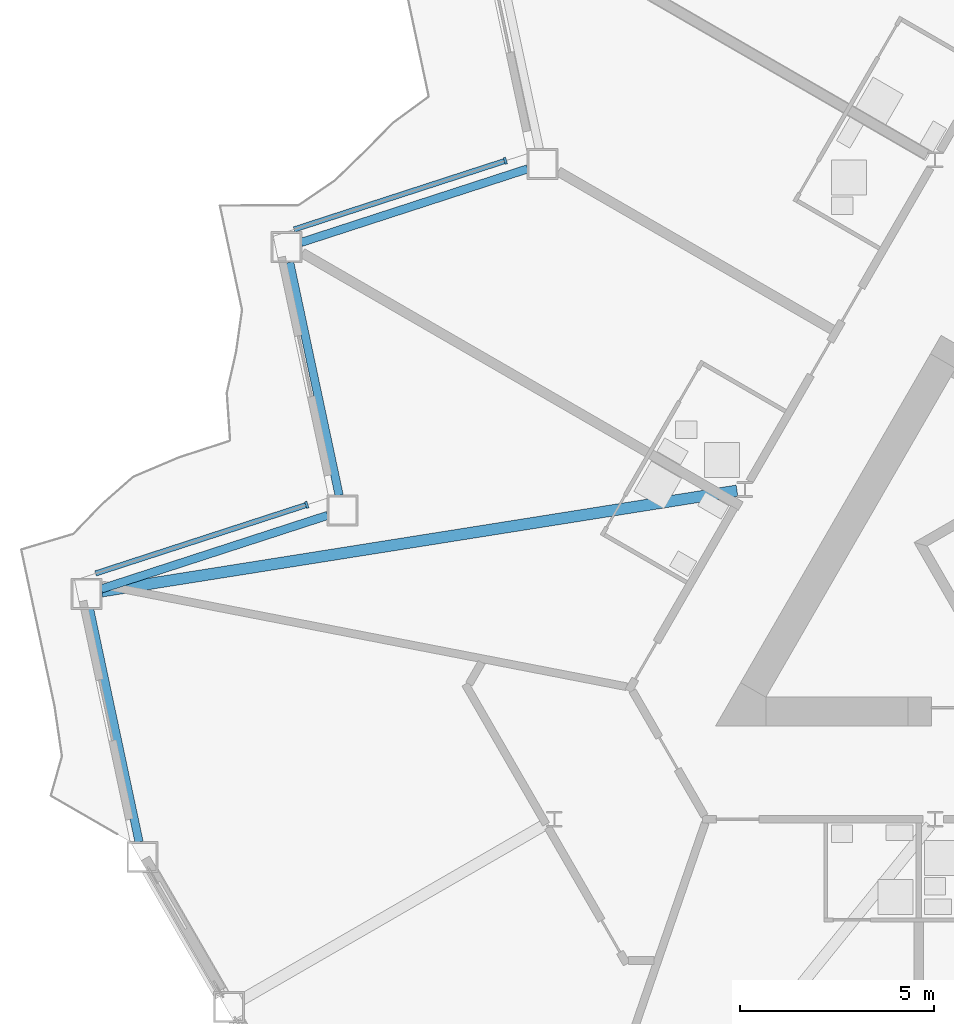
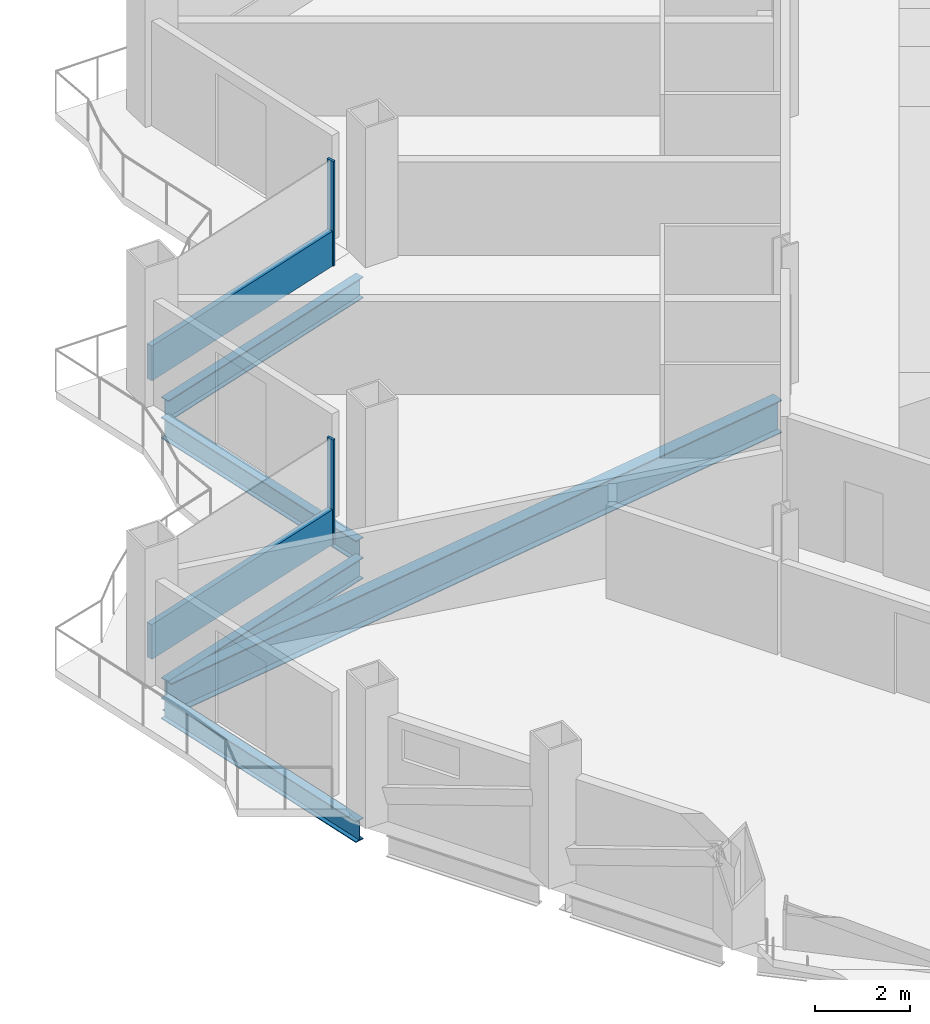
# One storey, part 4 of 23: 5 beams, 4 members, 2 elements without a shape of their own.
"""IFC4 building model written with IfcOpenShell, lengths in metres."""

from ifc_helpers import new_model, si_unit, direction, frame, origin, origin_2d, place, context, subcontext, project, spatial, rectangle, i_section, extrude, material, layer, layer_set, material_profile, profile_set, type_object, element, aggregate, save


model = new_model("IFC4")

# Units and contexts
model_context = context("Model", 3, precision=1e-05, world=origin(), true_north=direction((0.0, 1.0)))
body_context = subcontext(model_context, "Body", "Model", "MODEL_VIEW")
ifc_project = project(units=[si_unit("LENGTHUNIT", "METRE"), si_unit("AREAUNIT", "SQUARE_METRE"), si_unit("VOLUMEUNIT", "CUBIC_METRE"), si_unit("PLANEANGLEUNIT", "RADIAN"), si_unit("MASSUNIT", "GRAM", prefix="KILO")], contexts=[model_context])

# Site, building, storey
site_placement = place(None, origin())
site = spatial("IfcSite", under=ifc_project, at=site_placement, CompositionType="ELEMENT")
building_placement = place(site_placement, origin())
building = spatial("IfcBuilding", under=site, at=building_placement, Name="Cormorant Prow Tower", CompositionType="ELEMENT")
storey_placement = place(building_placement, frame((0.0, 0.0, 187.199951171875)))
storey = spatial("IfcBuildingStorey", under=building, at=storey_placement, Name="L40", CompositionType="ELEMENT", Elevation=187.199951171875)

# Curtain wall, member
ifc_material_1 = material(Name="Aluminium 6063-T6", Category="aluminium")
ifc_layer = layer(ifc_material_1, 0.179931640625)
ifc_layer_set = layer_set([ifc_layer], Name="Aluminium 6063-T6")
curtain_wall_type = type_object("IfcCurtainWallType", Name="Hotel unitised curtain wall 180", PredefinedType="NOTDEFINED", material=ifc_layer_set)
curtain_wall_1_placement = place(storey_placement, origin())
curtain_wall_1 = element("IfcCurtainWall", 1, at=curtain_wall_1_placement, inside=storey, type_object=curtain_wall_type, Name="Hotel curtain wall WNW06", PredefinedType="NOTDEFINED")
ifc_material_2 = material(Name="Aluminium 6063-T6", Category="aluminium")
ifc_material_profile_1 = material_profile(ifc_material_2, rectangle(XDim=0.179931640625, YDim=0.06005859375, at=origin_2d()), Name="Hotel mullion 60x180")
ifc_profile_set_1 = profile_set([ifc_material_profile_1], Name="Aluminium 6063-T6")
member_type_1 = type_object("IfcMemberType", Name="Hotel mullion 60x180", PredefinedType="MULLION", material=ifc_profile_set_1)
member_1_placement = place(storey_placement, frame((-20.921875, 5.645751953125, 0.0), z_axis=(0.0, 0.0, 1.0), x_axis=(0.309016960463, -0.951056527314, 0.0)))
member_1 = element("IfcMember", 2, at=member_1_placement, type_object=member_type_1, Name="Hotel mullion WNW06", PredefinedType="MULLION", context=body_context, shape_type="SweptSolid", body=[
    extrude(rectangle(XDim=0.179931640625, YDim=0.06005859375, at=origin_2d()), origin(), (0.0, 0.0, 1.0), 2.700927734375),
])

curtain_wall_2_placement = place(storey_placement, origin())
curtain_wall_2 = element("IfcCurtainWall", 3, at=curtain_wall_2_placement, inside=storey, type_object=curtain_wall_type, Name="Hotel curtain wall WNW08", PredefinedType="NOTDEFINED")
member_2_placement = place(storey_placement, frame((-26.049072265625, -3.234619140625, 0.0), z_axis=(0.0, 0.0, 1.0), x_axis=(0.309016960463, -0.951056527314, 0.0)))
member_2 = element("IfcMember", 4, at=member_2_placement, type_object=member_type_1, Name="Hotel mullion WNW08", PredefinedType="MULLION", context=body_context, shape_type="SweptSolid", body=[
    extrude(rectangle(XDim=0.179931640625, YDim=0.06005859375, at=origin_2d()), origin(), (0.0, 0.0, 1.0), 2.700927734375),
])

# Member
ifc_material_3 = material(Name="Terracotta", Category="masonry")
ifc_material_profile_2 = material_profile(ifc_material_3, rectangle(XDim=0.139892578125, YDim=0.89990234375, at=origin_2d()), Name="Hotel terracotta spandrel rail 140x900")
ifc_profile_set_2 = profile_set([ifc_material_profile_2], Name="Terracotta")
member_type_2 = type_object("IfcMemberType", Name="Hotel terracotta spandrel rail 140x900", PredefinedType="USERDEFINED", material=ifc_profile_set_2)
member_3_placement = place(storey_placement, frame((-20.950439453125, 5.636474609375, 0.449951171875), z_axis=(-0.951065836987, -0.308988306764, 0.0), x_axis=(0.308988306764, -0.951065836987, 0.0)))
member_3 = element("IfcMember", 5, at=member_3_placement, type_object=member_type_2, Name="Hotel spandrel rail WNW06", ObjectType="TRANSOM", PredefinedType="USERDEFINED", context=body_context, shape_type="SweptSolid", body=[
    extrude(rectangle(XDim=0.139892578125, YDim=0.89990234375, at=origin_2d()), origin(), (0.0, 0.0, 1.0), 5.703125),
])

aggregate(curtain_wall_1, [member_1, member_3])

member_4_placement = place(storey_placement, frame((-26.07763671875, -3.243896484375, 0.449951171875), z_axis=(-0.951053256447, -0.309027026975, 0.0), x_axis=(0.309027026975, -0.951053256447, 0.0)))
member_4 = element("IfcMember", 6, at=member_4_placement, type_object=member_type_2, Name="Hotel spandrel rail WNW08", ObjectType="TRANSOM", PredefinedType="USERDEFINED", context=body_context, shape_type="SweptSolid", body=[
    extrude(rectangle(XDim=0.139892578125, YDim=0.89990234375, at=origin_2d()), origin(), (0.0, 0.0, 1.0), 5.703125),
])

aggregate(curtain_wall_2, [member_2, member_4])

# Beams
ifc_material_4 = material(Name="Structural steel ASTM A992 Gr 50", Category="steel")
ifc_material_profile_3 = material_profile(ifc_material_4, i_section(OverallWidth=0.29296875, OverallDepth=0.845703125, WebThickness=0.015380859375, FlangeThickness=0.0244140625, at=origin_2d()), Name="W33x141")
ifc_profile_set_3 = profile_set([ifc_material_profile_3], Name="Structural steel ASTM A992 Gr 50")
beam_type_1 = type_object("IfcBeamType", Name="Radial floor beam W33x141", PredefinedType="BEAM", material=ifc_profile_set_3)
beam_1_placement = place(storey_placement, frame((-14.94384765625, -2.869140625, -0.77294921875), z_axis=(-0.987678058302, -0.156499371084, 0.0), x_axis=(0.156499371084, -0.987678058302, 0.0)))
element("IfcBeam", 7, at=beam_1_placement, inside=storey, type_object=beam_type_1, Name="Radial floor beam FB2 4 L40", PredefinedType="BEAM", context=body_context, shape_type="SweptSolid", body=[
    extrude(i_section(OverallWidth=0.29296875, OverallDepth=0.845703125, WebThickness=0.015380859375, FlangeThickness=0.0244140625, at=origin_2d()), origin(), (0.0, 0.0, 1.0), 16.604736328125),
])
ifc_material_5 = material(Name="Structural steel ASTM A992 Gr 50", Category="steel")
ifc_material_profile_4 = material_profile(ifc_material_5, i_section(OverallWidth=0.2138671875, OverallDepth=0.549072265625, WebThickness=0.0146484375, FlangeThickness=0.023681640625, at=origin_2d()), Name="W21x93")
ifc_profile_set_4 = profile_set([ifc_material_profile_4], Name="Structural steel ASTM A992 Gr 50")
beam_type_2 = type_object("IfcBeamType", Name="Spandrel beam W21x93", PredefinedType="SPANDREL", material=ifc_profile_set_4)
beam_2_placement = place(storey_placement, frame((-20.344970703125, 5.439208984375, -0.62451171875), z_axis=(-0.951057696564, -0.309013361859, 0.0), x_axis=(0.309013361859, -0.951057696564, 0.0)))
element("IfcBeam", 8, at=beam_2_placement, inside=storey, type_object=beam_type_2, Name="Spandrel beam SB2 WNW06-WNW07 L40", PredefinedType="SPANDREL", context=body_context, shape_type="SweptSolid", body=[
    extrude(i_section(OverallWidth=0.2138671875, OverallDepth=0.549072265625, WebThickness=0.0146484375, FlangeThickness=0.023681640625, at=origin_2d()), origin(), (0.0, 0.0, 1.0), 6.14990234375),
])
beam_3_placement = place(storey_placement, frame((-26.490966796875, 3.02392578125, -0.62451171875), z_axis=(0.207904811195, -0.978149063018, 0.0), x_axis=(0.978149063018, 0.207904811195, 0.0)))
element("IfcBeam", 9, at=beam_3_placement, inside=storey, type_object=beam_type_2, Name="Spandrel beam SB2 WNW07-WNW08 L40", PredefinedType="SPANDREL", context=body_context, shape_type="SweptSolid", body=[
    extrude(i_section(OverallWidth=0.2138671875, OverallDepth=0.549072265625, WebThickness=0.0146484375, FlangeThickness=0.023681640625, at=origin_2d()), origin(), (0.0, 0.0, 1.0), 6.149658203125),
])
beam_4_placement = place(storey_placement, frame((-25.509765625, -3.50634765625, -0.62451171875), z_axis=(-0.951057696564, -0.309013361859, 0.0), x_axis=(0.309013361859, -0.951057696564, 0.0)))
element("IfcBeam", 10, at=beam_4_placement, inside=storey, type_object=beam_type_2, Name="Spandrel beam SB2 WNW08-WNW09 L40", PredefinedType="SPANDREL", context=body_context, shape_type="SweptSolid", body=[
    extrude(i_section(OverallWidth=0.2138671875, OverallDepth=0.549072265625, WebThickness=0.0146484375, FlangeThickness=0.023681640625, at=origin_2d()), origin(), (0.0, 0.0, 1.0), 6.14990234375),
])
beam_5_placement = place(storey_placement, frame((-31.65576171875, -5.921630859375, -0.62451171875), z_axis=(0.207904811195, -0.978149063018, 0.0), x_axis=(0.978149063018, 0.207904811195, 0.0)))
element("IfcBeam", 11, at=beam_5_placement, inside=storey, type_object=beam_type_2, Name="Spandrel beam SB2 WNW09-WSW00 L40", PredefinedType="SPANDREL", context=body_context, shape_type="SweptSolid", body=[
    extrude(i_section(OverallWidth=0.2138671875, OverallDepth=0.549072265625, WebThickness=0.0146484375, FlangeThickness=0.023681640625, at=origin_2d()), origin(), (0.0, 0.0, 1.0), 6.149658203125),
])

save(model, "model.ifc")
